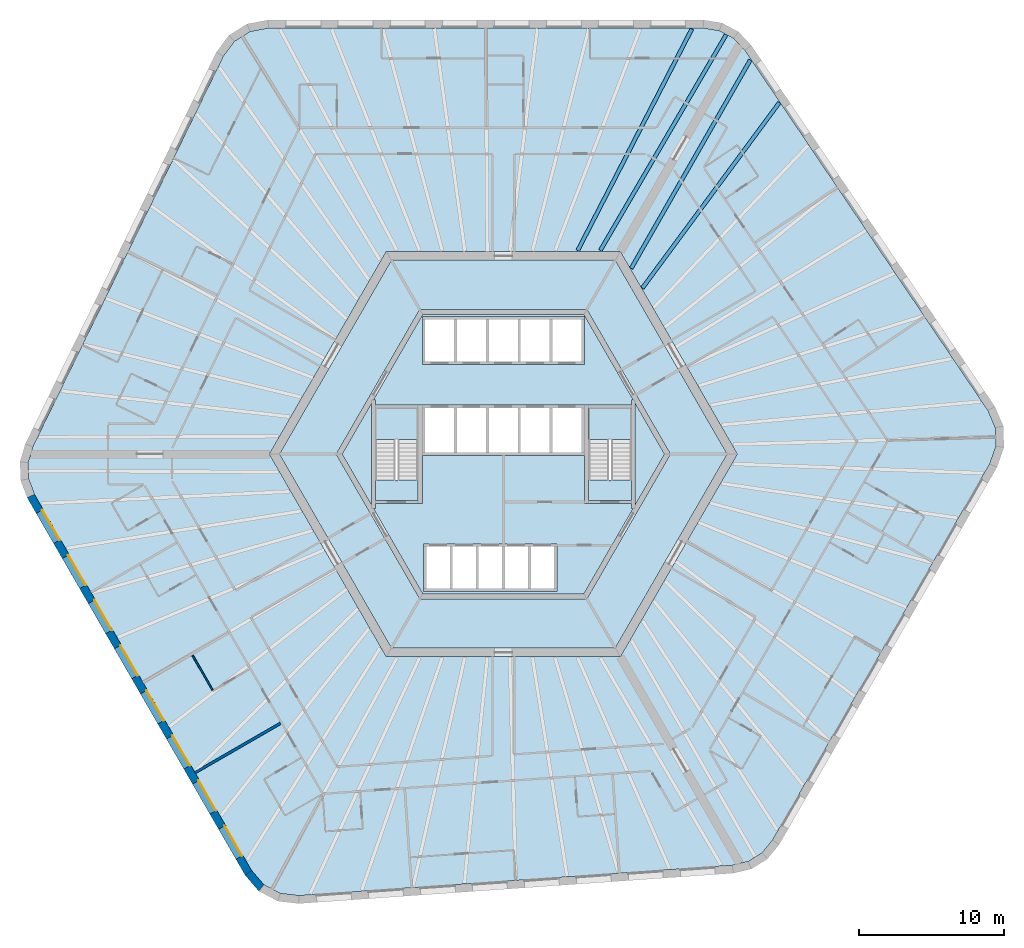
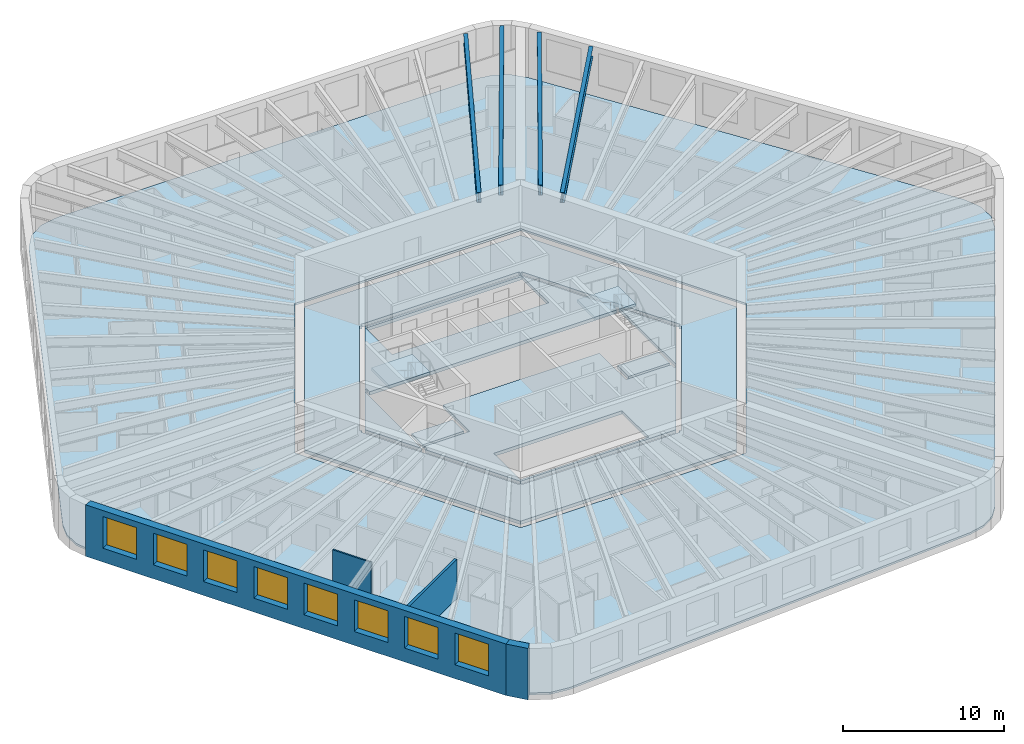
# One storey, part 2 of 12: 10 slabs, 8 windows, 4 beams, 4 walls, 8 openings, 2 elements without a shape of their own.
"""IFC4 building model written with IfcOpenShell, lengths in metres."""

from ifc_helpers import new_model, si_unit, direction, frame, frame_2d, origin, origin_2d, place, context, subcontext, project, spatial, polyline, rectangle, i_section, outline, extrude, material, layer, layer_set, material_profile, profile_set, type_object, element, fill, aggregate, save


model = new_model("IFC4")

# Units and contexts
model_context = context("Model", 3, precision=1e-05, world=origin(), true_north=direction((0.0, 1.0)))
body_context = subcontext(model_context, "Body", "Model", "MODEL_VIEW")
ifc_project = project(units=[si_unit("LENGTHUNIT", "METRE"), si_unit("AREAUNIT", "SQUARE_METRE"), si_unit("VOLUMEUNIT", "CUBIC_METRE"), si_unit("PLANEANGLEUNIT", "RADIAN"), si_unit("MASSUNIT", "GRAM", prefix="KILO")], contexts=[model_context])

# Site, building, storey
site_placement = place(None, origin())
site = spatial("IfcSite", under=ifc_project, at=site_placement, CompositionType="ELEMENT")
building_placement = place(site_placement, origin())
building = spatial("IfcBuilding", under=site, at=building_placement, Name="Tarnside Tower", CompositionType="ELEMENT")
storey_placement = place(building_placement, frame((0.0, 0.0, 57.0)))
storey = spatial("IfcBuildingStorey", under=building, at=storey_placement, Name="L11", CompositionType="ELEMENT", Elevation=57.0)

# Beams
ifc_material_1 = material(Name="Steel S355", Category="steel")
ifc_material_profile = material_profile(ifc_material_1, i_section(OverallWidth=0.2666015625, OverallDepth=0.76220703125, WebThickness=0.014404296875, FlangeThickness=0.021484375, FilletRadius=0.0166015625, at=origin_2d()), Name="UB 762x267x173")
ifc_profile_set = profile_set([ifc_material_profile], Name="Steel S355")
beam_type = type_object("IfcBeamType", Name="Floor beam UB 762x267x173", PredefinedType="BEAM", material=ifc_profile_set)
beam_1_placement = place(storey_placement, frame((13.0283203125, 29.37890625, 3.368896484375), z_axis=(-0.457973226459, -0.888965985765, 0.0), x_axis=(0.888965985765, -0.457973226459, 0.0)))
element("IfcBeam", 1, at=beam_1_placement, inside=storey, type_object=beam_type, Name="Floor beam F1.01", PredefinedType="BEAM", context=body_context, shape_type="SweptSolid", body=[
    extrude(i_section(OverallWidth=0.2666015625, OverallDepth=0.76220703125, WebThickness=0.014404296875, FlangeThickness=0.021484375, FilletRadius=0.0166015625, at=origin_2d()), origin(), (0.0, 0.0, 1.0), 17.219970703125),
])
beam_2_placement = place(storey_placement, frame((19.072021484375, 24.28857421875, 3.368896484375), z_axis=(-0.593986893499, -0.804474717037, 0.0), x_axis=(0.804474717037, -0.593986893499, 0.0)))
element("IfcBeam", 2, at=beam_2_placement, inside=storey, type_object=beam_type, Name="Floor beam F6.08", PredefinedType="BEAM", context=body_context, shape_type="SweptSolid", body=[
    extrude(i_section(OverallWidth=0.2666015625, OverallDepth=0.76220703125, WebThickness=0.014404296875, FlangeThickness=0.021484375, FilletRadius=0.0166015625, at=origin_2d()), origin(), (0.0, 0.0, 1.0), 15.934326171875),
])
beam_3_placement = place(storey_placement, frame((17.066162109375, 27.235107421875, 3.368896484375), z_axis=(-0.49622611841, -0.868193319145, 0.0), x_axis=(0.868193319145, -0.49622611841, 0.0)))
element("IfcBeam", 3, at=beam_3_placement, inside=storey, type_object=beam_type, Name="Floor beam F6.09", PredefinedType="BEAM", context=body_context, shape_type="SweptSolid", body=[
    extrude(i_section(OverallWidth=0.2666015625, OverallDepth=0.76220703125, WebThickness=0.014404296875, FlangeThickness=0.021484375, FilletRadius=0.0166015625, at=origin_2d()), origin(), (0.0, 0.0, 1.0), 16.586669921875),
])
beam_4_placement = place(storey_placement, frame((15.4013671875, 28.990478515625, 3.368896484375), z_axis=(-0.503858723096, -0.863786077198, 0.0), x_axis=(0.863786077198, -0.503858723096, 0.0)))
element("IfcBeam", 4, at=beam_4_placement, inside=storey, type_object=beam_type, Name="Floor beam C6", PredefinedType="BEAM", context=body_context, shape_type="SweptSolid", body=[
    extrude(i_section(OverallWidth=0.2666015625, OverallDepth=0.76220703125, WebThickness=0.014404296875, FlangeThickness=0.021484375, FilletRadius=0.0166015625, at=origin_2d()), origin(), (0.0, 0.0, 1.0), 17.2744140625),
])

# Slabs
ifc_material_2 = material(Name="Concrete C35/45", Category="concrete")
ifc_layer_1 = layer(ifc_material_2, 0.14990234375)
ifc_layer_set_1 = layer_set([ifc_layer_1], Name="Composite floor slab 150")
slab_type_1 = type_object("IfcSlabType", Name="Composite floor slab 150", PredefinedType="FLOOR", material=ifc_layer_set_1)
slab_1_placement = place(storey_placement, frame((0.0, 0.0, -0.14990234375)))
element("IfcSlab", 5, at=slab_1_placement, inside=storey, type_object=slab_type_1, Name="Floor slab L11", PredefinedType="FLOOR", context=body_context, shape_type="SweptSolid", body=[
    extrude(outline(polyline([(14.927490234375, 29.264892578125), (15.91455078125, 28.740234375), (16.697265625, 27.91064453125), (33.48583984375, 3.0205078125), (34.001220703125, 1.825439453125), (34.0458984375, 0.55078125), (33.614990234375, -0.67724609375), (18.603515625, -26.677978515625), (17.880615234375, -27.56005859375), (16.9326171875, -28.15234375), (15.82275390625, -28.41552734375), (-14.127197265625, -30.509765625), (-15.419921875, -30.358642578125), (-16.5458984375, -29.760009765625), (-17.39404296875, -28.772705078125), (-32.405517578125, -2.772216796875), (-32.80810546875, -1.704833984375), (-32.846923828125, -0.587890625), (-32.52001953125, 0.5048828125), (-19.358642578125, 27.4892578125), (-18.58154296875, 28.533203125), (-17.5, 29.208984375), (-16.220947265625, 29.449951171875), (13.802001953125, 29.449951171875), (14.927490234375, 29.264892578125)]), holes=[polyline([(-16.165771484375, 0.0), (-8.0830078125, -14.0), (8.0830078125, -14.0), (16.165771484375, 0.0), (8.0830078125, 14.0), (-8.0830078125, 14.0), (-16.165771484375, 0.0)])]), origin(), (0.0, 0.0, 1.0), 0.14990234375),
])
ifc_material_3 = material(Name="Concrete C40/50", Category="concrete")
ifc_layer_2 = layer(ifc_material_3, 0.25)
ifc_layer_set_2 = layer_set([ifc_layer_2], Name="Core slab C40/50")
slab_type_2 = type_object("IfcSlabType", Name="Core slab C40/50", PredefinedType="FLOOR", material=ifc_layer_set_2)
slab_2_placement = place(storey_placement, frame((0.0, 0.0, -0.25)))
element("IfcSlab", 6, at=slab_2_placement, inside=storey, type_object=slab_type_2, Name="L11 core floor slab 1", PredefinedType="FLOOR", context=body_context, shape_type="SweptSolid", body=[
    extrude(outline(polyline([(-15.472900390625, 0.0), (-7.736572265625, 13.39990234375), (7.736572265625, 13.39990234375), (15.472900390625, 0.0), (7.736572265625, -13.39990234375), (-7.736572265625, -13.39990234375), (-15.472900390625, 0.0)]), holes=[polyline([(5.823974609375, -9.91259765625), (11.49658203125, -0.08740234375), (11.344970703125, 0.0), (11.49658203125, 0.08740234375), (5.823974609375, 9.91259765625), (5.672607421875, 9.824951171875), (5.672607421875, 10.0), (-5.672607421875, 10.0), (-5.672607421875, 9.824951171875), (-5.823974609375, 9.91259765625), (-11.49658203125, 0.08740234375), (-11.344970703125, 0.0), (-11.49658203125, -0.08740234375), (-5.823974609375, -9.91259765625), (-5.672607421875, -9.824951171875), (-5.672607421875, -10.0), (5.672607421875, -10.0), (5.672607421875, -9.824951171875), (5.823974609375, -9.91259765625)])]), origin(), (0.0, 0.0, 1.0), 0.25),
])
slab_3_placement = place(storey_placement, frame((0.0, 0.0, -0.25)))
element("IfcSlab", 7, at=slab_3_placement, inside=storey, type_object=slab_type_2, Name="L11 core floor slab 2", PredefinedType="FLOOR", context=body_context, shape_type="SweptSolid", body=[
    extrude(outline(polyline([(-8.97509765625, 3.7548828125), (-5.5712890625, 9.64990234375), (5.5712890625, 9.64990234375), (8.97509765625, 3.7548828125), (8.85009765625, 3.7548828125), (8.85009765625, 3.39990234375), (5.89990234375, 3.39990234375), (5.60009765625, 3.39990234375), (5.60009765625, 3.39990234375), (-5.60009765625, 3.39990234375), (-5.89990234375, 3.39990234375), (-8.85009765625, 3.39990234375), (-8.85009765625, 3.7548828125), (-8.97509765625, 3.7548828125)]), holes=[polyline([(-5.60009765625, 6.199951171875), (5.60009765625, 6.199951171875), (5.60009765625, 6.39990234375), (5.60009765625, 9.300048828125), (5.60009765625, 9.5), (-5.60009765625, 9.5), (-5.60009765625, 9.300048828125), (-5.60009765625, 6.39990234375), (-5.60009765625, 6.199951171875)])]), origin(), (0.0, 0.0, 1.0), 0.25),
])
slab_4_placement = place(storey_placement, frame((0.0, 0.0, -0.25)))
element("IfcSlab", 8, at=slab_4_placement, inside=storey, type_object=slab_type_2, Name="L11 core floor slab 3", PredefinedType="FLOOR", context=body_context, shape_type="SweptSolid", body=[
    extrude(outline(polyline([(5.60009765625, -3.39990234375), (5.89990234375, -3.39990234375), (8.85009765625, -3.39990234375), (8.85009765625, -3.7548828125), (8.97509765625, -3.7548828125), (5.5712890625, -9.64990234375), (-5.5712890625, -9.64990234375), (-8.97509765625, -3.7548828125), (-8.85009765625, -3.7548828125), (-8.85009765625, -3.39990234375), (-5.89990234375, -3.39990234375), (-5.60009765625, -3.39990234375), (-5.60009765625, -0.10009765625), (5.60009765625, -0.10009765625), (5.60009765625, -3.39990234375)]), holes=[polyline([(-5.5, -9.300048828125), (-5.5, -9.5), (3.699951171875, -9.5), (3.699951171875, -9.300048828125), (3.699951171875, -6.39990234375), (3.699951171875, -6.199951171875), (-5.5, -6.199951171875), (-5.5, -6.39990234375), (-5.5, -9.300048828125)])]), origin(), (0.0, 0.0, 1.0), 0.25),
])
slab_5_placement = place(storey_placement, frame((0.0, 0.0, -0.25)))
element("IfcSlab", 9, at=slab_5_placement, inside=storey, type_object=slab_type_2, Name="L11 core floor slab 4", PredefinedType="FLOOR", context=body_context, shape_type="SweptSolid", body=[
    extrude(outline(polyline([(-11.142822265625, 0.0), (-9.10009765625, 3.538330078125), (-9.10009765625, -3.538330078125), (-11.142822265625, 0.0)])), origin(), (0.0, 0.0, 1.0), 0.25),
])
slab_6_placement = place(storey_placement, frame((0.0, 0.0, -0.25)))
element("IfcSlab", 10, at=slab_6_placement, inside=storey, type_object=slab_type_2, Name="L11 core floor slab 5", PredefinedType="FLOOR", context=body_context, shape_type="SweptSolid", body=[
    extrude(outline(polyline([(-8.85009765625, -1.800048828125), (-5.89990234375, -1.800048828125), (-5.89990234375, -3.199951171875), (-8.85009765625, -3.199951171875), (-8.85009765625, -1.800048828125)])), origin(), (0.0, 0.0, 1.0), 0.25),
])
slab_7_placement = place(storey_placement, frame((0.0, 0.0, -0.25)))
element("IfcSlab", 11, at=slab_7_placement, inside=storey, type_object=slab_type_2, Name="L11 core floor slab 6", PredefinedType="FLOOR", context=body_context, shape_type="SweptSolid", body=[
    extrude(outline(polyline([(5.89990234375, -3.199951171875), (5.89990234375, -1.800048828125), (8.85009765625, -1.800048828125), (8.85009765625, -3.199951171875), (5.89990234375, -3.199951171875)])), origin(), (0.0, 0.0, 1.0), 0.25),
])
slab_8_placement = place(storey_placement, frame((0.0, 0.0, -0.25)))
element("IfcSlab", 12, at=slab_8_placement, inside=storey, type_object=slab_type_2, Name="L11 core floor slab 7", PredefinedType="FLOOR", context=body_context, shape_type="SweptSolid", body=[
    extrude(outline(polyline([(9.10009765625, -3.538330078125), (9.10009765625, 3.538330078125), (11.142822265625, 0.0), (9.10009765625, -3.538330078125)])), origin(), (0.0, 0.0, 1.0), 0.25),
])

# Stair, slab
stair_type = type_object("IfcStairType", Name="Exit stair 1400 clear", PredefinedType="HALF_TURN_STAIR", material=ifc_material_3)
stair_1_placement = place(storey_placement, origin())
stair_1 = element("IfcStair", 13, at=stair_1_placement, inside=storey, type_object=stair_type, Name="L11 Exit stair 1", PredefinedType="HALF_TURN_STAIR")
ifc_layer_3 = layer(ifc_material_3, 0.199951171875)
ifc_layer_set_3 = layer_set([ifc_layer_3], Name="Stair landing 200 C40/50")
slab_type_3 = type_object("IfcSlabType", Name="Stair landing 200 C40/50", PredefinedType="LANDING", material=ifc_layer_set_3)
slab_9_placement = place(storey_placement, frame((0.0, 0.0, 1.75)))
slab_9 = element("IfcSlab", 14, at=slab_9_placement, type_object=slab_type_3, Name="ST1 landing 1", PredefinedType="LANDING", context=body_context, shape_type="SweptSolid", body=[
    extrude(outline(polyline([(8.85009765625, 1.0), (8.85009765625, 3.199951171875), (5.89990234375, 3.199951171875), (5.89990234375, 1.0), (8.85009765625, 1.0)])), origin(), (0.0, 0.0, 1.0), 0.199951171875),
])
aggregate(stair_1, [slab_9])

stair_2_placement = place(storey_placement, origin())
stair_2 = element("IfcStair", 15, at=stair_2_placement, inside=storey, type_object=stair_type, Name="L11 Exit stair 2", PredefinedType="HALF_TURN_STAIR")
slab_10_placement = place(storey_placement, frame((0.0, 0.0, 1.75)))
slab_10 = element("IfcSlab", 16, at=slab_10_placement, type_object=slab_type_3, Name="ST2 landing 1", PredefinedType="LANDING", context=body_context, shape_type="SweptSolid", body=[
    extrude(outline(polyline([(-5.89990234375, 1.0), (-5.89990234375, 3.199951171875), (-8.85009765625, 3.199951171875), (-8.85009765625, 1.0), (-5.89990234375, 1.0)])), origin(), (0.0, 0.0, 1.0), 0.199951171875),
])
aggregate(stair_2, [slab_10])

# Walls
ifc_material_4 = material(Name="Gypsum board partition on steel studs", Category="steel")
ifc_layer_4 = layer(ifc_material_4, 0.10009765625)
ifc_layer_set_4 = layer_set([ifc_layer_4], Name="Bathroom wall 100")
wall_type_1 = type_object("IfcWallType", Name="Bathroom wall 100", PredefinedType="PARTITIONING", material=ifc_layer_set_4)
wall_1_placement = place(storey_placement, frame((-20.096435546875, -16.2919921875, 0.0), z_axis=(0.0, 0.0, 1.0), x_axis=(-0.499982807329, 0.86603532975, 0.0)))
element("IfcWall", 17, at=wall_1_placement, inside=storey, type_object=wall_type_1, Name="Bathroom wall 02111", PredefinedType="PARTITIONING", context=body_context, shape_type="SweptSolid", body=[
    extrude(rectangle(XDim=2.759765625, YDim=0.10009765625, at=frame_2d((1.3798828125, 0.0))), origin(), (0.0, 0.0, 1.0), 2.98779296875),
])
ifc_layer_5 = layer(ifc_material_4, 0.179931640625)
ifc_layer_set_5 = layer_set([ifc_layer_5], Name="Demising wall 180 EI 60")
wall_type_2 = type_object("IfcWallType", Name="Demising wall 180 EI 60", PredefinedType="PARTITIONING", material=ifc_layer_set_5)
wall_2_placement = place(storey_placement, frame((-21.298828125, -22.00927734375, 0.0), z_axis=(0.0, 0.0, 1.0), x_axis=(0.866019982719, 0.500009389444, 0.0)))
element("IfcWall", 18, at=wall_2_placement, inside=storey, type_object=wall_type_2, Name="Demising wall 02112", PredefinedType="PARTITIONING", context=body_context, shape_type="SweptSolid", body=[
    extrude(rectangle(XDim=6.824951171875, YDim=0.179931640625, at=frame_2d((3.41259765625, 0.0))), origin(), (0.0, 0.0, 1.0), 2.98779296875),
])

# Wall, openings, windows
ifc_material_5 = material(Name="Facing brick", Category="masonry")
ifc_layer_6 = layer(ifc_material_5, 0.10205078125)
ifc_material_6 = material(Name="Concrete C60/75 precast", Category="concrete")
ifc_layer_7 = layer(ifc_material_6, 0.347900390625)
ifc_material_7 = material(Name="Mineral wool insulation")
ifc_layer_8 = layer(ifc_material_7, 0.10009765625)
ifc_layer_set_6 = layer_set([ifc_layer_6, ifc_layer_7, ifc_layer_8], Name="Tube wall 550 brick faced")
wall_type_3 = type_object("IfcWallType", Name="Tube wall 550 brick faced", PredefinedType="SOLIDWALL", material=ifc_layer_set_6)
wall_3_placement = place(storey_placement, frame((-32.65478515625, -2.89013671875, -0.14990234375), z_axis=(0.0, 0.0, 1.0), x_axis=(0.499997711317, -0.866026725152, 0.0)))
wall_3 = element("IfcWall", 19, at=wall_3_placement, inside=storey, type_object=wall_type_3, Name="Tube wall L11 F3 flush 08", PredefinedType="SOLIDWALL", context=body_context, shape_type="SweptSolid", body=[
    extrude(outline(polyline([(-0.0224609375, -0.27490234375), (30.0966796875, -0.27490234375), (30.04541015625, 0.27490234375), (0.0224609375, 0.27490234375), (-0.0224609375, -0.27490234375)])), origin(), (0.0, 0.0, 1.0), 3.89990234375),
])
opening_1_placement = place(wall_3_placement, frame((1.235595703125, 0.0, 1.050048828125)))
opening_1 = element("IfcOpeningElement", 20, at=opening_1_placement, cuts=wall_3, Name="Opening WH", PredefinedType="OPENING", context=body_context, shape_type="SweptSolid", body=[
    extrude(rectangle(XDim=2.39990234375, YDim=2.39990234375, at=frame_2d((1.199951171875, 1.199951171875))), frame((0.0, 0.28515625, 0.0), z_axis=(0.0, -1.0, 0.0), x_axis=(1.0, 0.0, 0.0)), (0.0, 0.0, 1.0), 0.570068359375),
])
opening_2_placement = place(wall_3_placement, frame((4.83544921875, 0.0, 1.050048828125)))
opening_2 = element("IfcOpeningElement", 21, at=opening_2_placement, cuts=wall_3, Name="Opening WH", PredefinedType="OPENING", context=body_context, shape_type="SweptSolid", body=[
    extrude(rectangle(XDim=2.39990234375, YDim=2.39990234375, at=frame_2d((1.199951171875, 1.199951171875))), frame((0.0, 0.28515625, 0.0), z_axis=(0.0, -1.0, 0.0), x_axis=(1.0, 0.0, 0.0)), (0.0, 0.0, 1.0), 0.570068359375),
])
opening_3_placement = place(wall_3_placement, frame((8.435546875, 0.0, 1.050048828125)))
opening_3 = element("IfcOpeningElement", 22, at=opening_3_placement, cuts=wall_3, Name="Opening WH", PredefinedType="OPENING", context=body_context, shape_type="SweptSolid", body=[
    extrude(rectangle(XDim=2.39990234375, YDim=2.39990234375, at=frame_2d((1.199951171875, 1.199951171875))), frame((0.0, 0.28515625, 0.0), z_axis=(0.0, -1.0, 0.0), x_axis=(1.0, 0.0, 0.0)), (0.0, 0.0, 1.0), 0.570068359375),
])
opening_4_placement = place(wall_3_placement, frame((12.035400390625, 0.0, 1.050048828125)))
opening_4 = element("IfcOpeningElement", 23, at=opening_4_placement, cuts=wall_3, Name="Opening WH", PredefinedType="OPENING", context=body_context, shape_type="SweptSolid", body=[
    extrude(rectangle(XDim=2.39990234375, YDim=2.39990234375, at=frame_2d((1.199951171875, 1.199951171875))), frame((0.0, 0.28515625, 0.0), z_axis=(0.0, -1.0, 0.0), x_axis=(1.0, 0.0, 0.0)), (0.0, 0.0, 1.0), 0.570068359375),
])
opening_5_placement = place(wall_3_placement, frame((15.635498046875, 0.0, 1.050048828125)))
opening_5 = element("IfcOpeningElement", 24, at=opening_5_placement, cuts=wall_3, Name="Opening WH", PredefinedType="OPENING", context=body_context, shape_type="SweptSolid", body=[
    extrude(rectangle(XDim=2.39990234375, YDim=2.39990234375, at=frame_2d((1.199951171875, 1.199951171875))), frame((0.0, 0.28515625, 0.0), z_axis=(0.0, -1.0, 0.0), x_axis=(1.0, 0.0, 0.0)), (0.0, 0.0, 1.0), 0.570068359375),
])
opening_6_placement = place(wall_3_placement, frame((19.235595703125, 0.0, 1.050048828125)))
opening_6 = element("IfcOpeningElement", 25, at=opening_6_placement, cuts=wall_3, Name="Opening WH", PredefinedType="OPENING", context=body_context, shape_type="SweptSolid", body=[
    extrude(rectangle(XDim=2.39990234375, YDim=2.39990234375, at=frame_2d((1.199951171875, 1.199951171875))), frame((0.0, 0.28515625, 0.0), z_axis=(0.0, -1.0, 0.0), x_axis=(1.0, 0.0, 0.0)), (0.0, 0.0, 1.0), 0.570068359375),
])
opening_7_placement = place(wall_3_placement, frame((22.83544921875, 0.0, 1.050048828125)))
opening_7 = element("IfcOpeningElement", 26, at=opening_7_placement, cuts=wall_3, Name="Opening WH", PredefinedType="OPENING", context=body_context, shape_type="SweptSolid", body=[
    extrude(rectangle(XDim=2.39990234375, YDim=2.39990234375, at=frame_2d((1.199951171875, 1.199951171875))), frame((0.0, 0.28515625, 0.0), z_axis=(0.0, -1.0, 0.0), x_axis=(1.0, 0.0, 0.0)), (0.0, 0.0, 1.0), 0.570068359375),
])
opening_8_placement = place(wall_3_placement, frame((26.435546875, 0.0, 1.050048828125)))
opening_8 = element("IfcOpeningElement", 27, at=opening_8_placement, cuts=wall_3, Name="Opening WH", PredefinedType="OPENING", context=body_context, shape_type="SweptSolid", body=[
    extrude(rectangle(XDim=2.39990234375, YDim=2.39990234375, at=frame_2d((1.199951171875, 1.199951171875))), frame((0.0, 0.28515625, 0.0), z_axis=(0.0, -1.0, 0.0), x_axis=(1.0, 0.0, 0.0)), (0.0, 0.0, 1.0), 0.570068359375),
])
ifc_material_8 = material(Name="Aluminium-framed double glazing", Category="aluminium")
window_type = type_object("IfcWindowType", Name="Hotel window 2400 x 2400", PartitioningType="DOUBLE_PANEL_VERTICAL", PredefinedType="WINDOW", material=ifc_material_8)
window_1_placement = place(opening_1_placement, frame((0.0, 0.205078125, 0.0)))
window_1 = element("IfcWindow", 28, at=window_1_placement, inside=storey, type_object=window_type, Name="E.WN.L11.F3.00", OverallHeight=2.39990234375, OverallWidth=2.39990234375, PartitioningType="DOUBLE_PANEL_VERTICAL", PredefinedType="WINDOW", context=body_context, shape_type="SweptSolid", body=[
    extrude(rectangle(XDim=2.39990234375, YDim=2.39990234375, at=frame_2d((1.199951171875, 1.199951171875))), frame((0.0, 0.030029296875, 0.0), z_axis=(0.0, -1.0, 0.0), x_axis=(1.0, 0.0, 0.0)), (0.0, 0.0, 1.0), 0.06005859375),
])
fill(opening_1, window_1)
window_2_placement = place(opening_2_placement, frame((0.0, 0.205078125, 0.0)))
window_2 = element("IfcWindow", 29, at=window_2_placement, inside=storey, type_object=window_type, Name="E.WN.L11.F3.01", OverallHeight=2.39990234375, OverallWidth=2.39990234375, PartitioningType="DOUBLE_PANEL_VERTICAL", PredefinedType="WINDOW", context=body_context, shape_type="SweptSolid", body=[
    extrude(rectangle(XDim=2.39990234375, YDim=2.39990234375, at=frame_2d((1.199951171875, 1.199951171875))), frame((0.0, 0.030029296875, 0.0), z_axis=(0.0, -1.0, 0.0), x_axis=(1.0, 0.0, 0.0)), (0.0, 0.0, 1.0), 0.06005859375),
])
fill(opening_2, window_2)
window_3_placement = place(opening_3_placement, frame((0.0, 0.205078125, 0.0)))
window_3 = element("IfcWindow", 30, at=window_3_placement, inside=storey, type_object=window_type, Name="E.WN.L11.F3.02", OverallHeight=2.39990234375, OverallWidth=2.39990234375, PartitioningType="DOUBLE_PANEL_VERTICAL", PredefinedType="WINDOW", context=body_context, shape_type="SweptSolid", body=[
    extrude(rectangle(XDim=2.39990234375, YDim=2.39990234375, at=frame_2d((1.199951171875, 1.199951171875))), frame((0.0, 0.030029296875, 0.0), z_axis=(0.0, -1.0, 0.0), x_axis=(1.0, 0.0, 0.0)), (0.0, 0.0, 1.0), 0.06005859375),
])
fill(opening_3, window_3)
window_4_placement = place(opening_4_placement, frame((0.0, 0.205078125, 0.0)))
window_4 = element("IfcWindow", 31, at=window_4_placement, inside=storey, type_object=window_type, Name="E.WN.L11.F3.03", OverallHeight=2.39990234375, OverallWidth=2.39990234375, PartitioningType="DOUBLE_PANEL_VERTICAL", PredefinedType="WINDOW", context=body_context, shape_type="SweptSolid", body=[
    extrude(rectangle(XDim=2.39990234375, YDim=2.39990234375, at=frame_2d((1.199951171875, 1.199951171875))), frame((0.0, 0.030029296875, 0.0), z_axis=(0.0, -1.0, 0.0), x_axis=(1.0, 0.0, 0.0)), (0.0, 0.0, 1.0), 0.06005859375),
])
fill(opening_4, window_4)
window_5_placement = place(opening_5_placement, frame((0.0, 0.205078125, 0.0)))
window_5 = element("IfcWindow", 32, at=window_5_placement, inside=storey, type_object=window_type, Name="E.WN.L11.F3.04", OverallHeight=2.39990234375, OverallWidth=2.39990234375, PartitioningType="DOUBLE_PANEL_VERTICAL", PredefinedType="WINDOW", context=body_context, shape_type="SweptSolid", body=[
    extrude(rectangle(XDim=2.39990234375, YDim=2.39990234375, at=frame_2d((1.199951171875, 1.199951171875))), frame((0.0, 0.030029296875, 0.0), z_axis=(0.0, -1.0, 0.0), x_axis=(1.0, 0.0, 0.0)), (0.0, 0.0, 1.0), 0.06005859375),
])
fill(opening_5, window_5)
window_6_placement = place(opening_6_placement, frame((0.0, 0.205078125, 0.0)))
window_6 = element("IfcWindow", 33, at=window_6_placement, inside=storey, type_object=window_type, Name="E.WN.L11.F3.05", OverallHeight=2.39990234375, OverallWidth=2.39990234375, PartitioningType="DOUBLE_PANEL_VERTICAL", PredefinedType="WINDOW", context=body_context, shape_type="SweptSolid", body=[
    extrude(rectangle(XDim=2.39990234375, YDim=2.39990234375, at=frame_2d((1.199951171875, 1.199951171875))), frame((0.0, 0.030029296875, 0.0), z_axis=(0.0, -1.0, 0.0), x_axis=(1.0, 0.0, 0.0)), (0.0, 0.0, 1.0), 0.06005859375),
])
fill(opening_6, window_6)
window_7_placement = place(opening_7_placement, frame((0.0, 0.205078125, 0.0)))
window_7 = element("IfcWindow", 34, at=window_7_placement, inside=storey, type_object=window_type, Name="E.WN.L11.F3.06", OverallHeight=2.39990234375, OverallWidth=2.39990234375, PartitioningType="DOUBLE_PANEL_VERTICAL", PredefinedType="WINDOW", context=body_context, shape_type="SweptSolid", body=[
    extrude(rectangle(XDim=2.39990234375, YDim=2.39990234375, at=frame_2d((1.199951171875, 1.199951171875))), frame((0.0, 0.030029296875, 0.0), z_axis=(0.0, -1.0, 0.0), x_axis=(1.0, 0.0, 0.0)), (0.0, 0.0, 1.0), 0.06005859375),
])
fill(opening_7, window_7)
window_8_placement = place(opening_8_placement, frame((0.0, 0.205078125, 0.0)))
window_8 = element("IfcWindow", 35, at=window_8_placement, inside=storey, type_object=window_type, Name="E.WN.L11.F3.07", OverallHeight=2.39990234375, OverallWidth=2.39990234375, PartitioningType="DOUBLE_PANEL_VERTICAL", PredefinedType="WINDOW", context=body_context, shape_type="SweptSolid", body=[
    extrude(rectangle(XDim=2.39990234375, YDim=2.39990234375, at=frame_2d((1.199951171875, 1.199951171875))), frame((0.0, 0.030029296875, 0.0), z_axis=(0.0, -1.0, 0.0), x_axis=(1.0, 0.0, 0.0)), (0.0, 0.0, 1.0), 0.06005859375),
])
fill(opening_8, window_8)

# Wall
wall_4_placement = place(storey_placement, frame((-17.619384765625, -28.932373046875, -0.14990234375), z_axis=(0.0, 0.0, 1.0), x_axis=(0.651621950847, -0.758543890078, 0.0)))
element("IfcWall", 36, at=wall_4_placement, inside=storey, type_object=wall_type_3, Name="Tube wall L11 F3 chord 09", PredefinedType="SOLIDWALL", context=body_context, shape_type="SweptSolid", body=[
    extrude(outline(polyline([(-0.025634765625, -0.27490234375), (1.430908203125, -0.27490234375), (1.327392578125, 0.27490234375), (0.025634765625, 0.27490234375), (-0.025634765625, -0.27490234375)])), origin(), (0.0, 0.0, 1.0), 3.89990234375),
])

save(model, "model.ifc")
